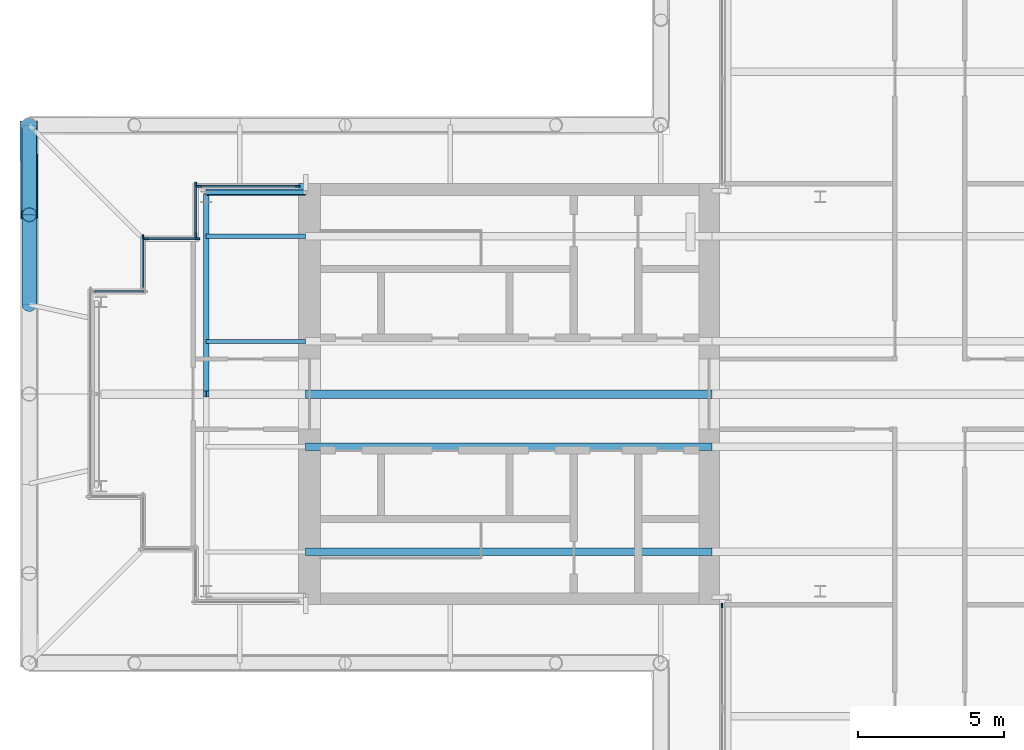
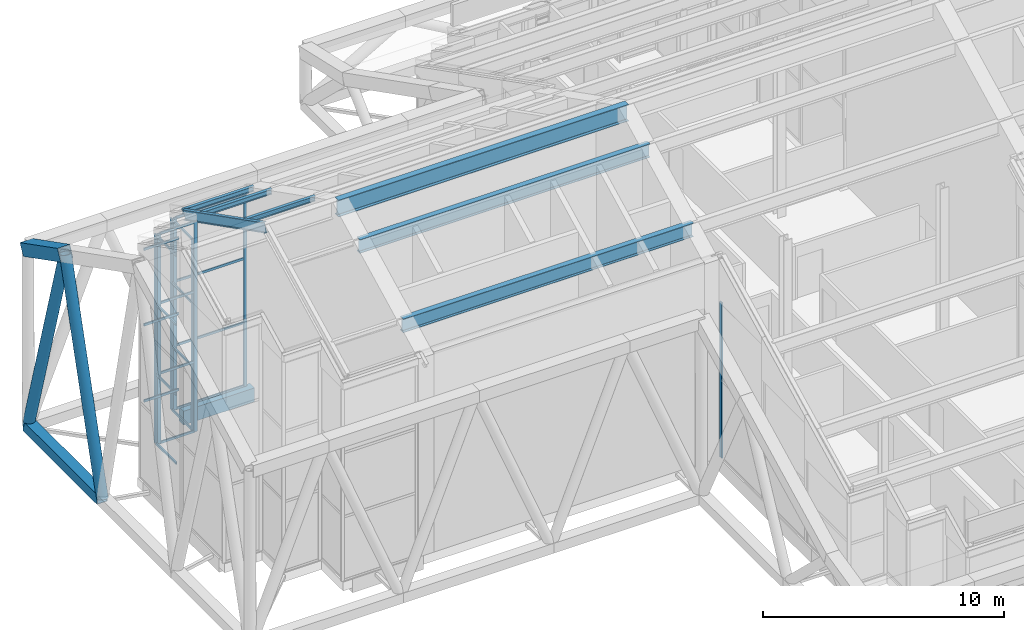
# One storey, part 7 of 25: 31 members, 8 beams, 6 elements without a shape of their own.
"""IFC4 building model written with IfcOpenShell, lengths in metres."""

from ifc_helpers import new_model, si_unit, direction, frame, origin, origin_2d, place, context, subcontext, project, spatial, rectangle, hollow_rectangle, hollow_circle, i_section, extrude, material, material_profile, profile_set, type_object, element, aggregate, save


model = new_model("IFC4")

# Units and contexts
model_context = context("Model", 3, precision=1e-05, world=origin(), true_north=direction((0.0, 1.0)))
body_context = subcontext(model_context, "Body", "Model", "MODEL_VIEW")
ifc_project = project(units=[si_unit("LENGTHUNIT", "METRE"), si_unit("AREAUNIT", "SQUARE_METRE"), si_unit("VOLUMEUNIT", "CUBIC_METRE"), si_unit("PLANEANGLEUNIT", "RADIAN"), si_unit("MASSUNIT", "GRAM", prefix="KILO")], contexts=[model_context])

# Site, building, storey
site_placement = place(None, origin())
site = spatial("IfcSite", under=ifc_project, at=site_placement, CompositionType="ELEMENT")
building_placement = place(site_placement, origin())
building = spatial("IfcBuilding", under=site, at=building_placement, Name="Fustian Cross Tower", CompositionType="ELEMENT")
storey_placement = place(building_placement, frame((0.0, 0.0, 247.5)))
storey = spatial("IfcBuildingStorey", under=building, at=storey_placement, Name="L77", CompositionType="ELEMENT", Elevation=247.5)

# Curtain wall, members
ifc_material_1 = material(Name="Glass", Category="glass")
curtain_wall_type = type_object("IfcCurtainWallType", Name="CW6 CURTAIN WALL", PredefinedType="NOTDEFINED", material=ifc_material_1)
curtain_wall_1_placement = place(storey_placement, origin())
curtain_wall_1 = element("IfcCurtainWall", 1, at=curtain_wall_1_placement, inside=storey, type_object=curtain_wall_type, Name="Curtain wall CW6", PredefinedType="NOTDEFINED")
ifc_material_2 = material(Name="Aluminium alloy 6063", Category="aluminium")
ifc_material_profile_1 = material_profile(ifc_material_2, rectangle(XDim=0.06005859375, YDim=0.159912109375, at=origin_2d()), Name="CW6 MULLION 60x160")
ifc_profile_set_1 = profile_set([ifc_material_profile_1], Name="Aluminium alloy 6063")
member_type_1 = type_object("IfcMemberType", Name="CW6 MULLION 60x160", PredefinedType="MULLION", material=ifc_profile_set_1)
member_1_placement = place(storey_placement, frame((-21.6298828125, 7.110107421875, 0.0), z_axis=(0.0, 0.0, 1.0), x_axis=(0.0, -1.0, 0.0)))
member_1 = element("IfcMember", 2, at=member_1_placement, type_object=member_type_1, Name="CW6 mullion 1", PredefinedType="MULLION", context=body_context, shape_type="SweptSolid", body=[
    extrude(rectangle(XDim=0.06005859375, YDim=0.159912109375, at=origin_2d()), origin(), (0.0, 0.0, 1.0), 9.729248046875),
])
member_2_placement = place(storey_placement, frame((-24.989990234375, 7.110107421875, 0.0), z_axis=(0.0, 0.0, 1.0), x_axis=(0.0, -1.0, 0.0)))
member_2 = element("IfcMember", 3, at=member_2_placement, type_object=member_type_1, Name="CW6 mullion 2", PredefinedType="MULLION", context=body_context, shape_type="SweptSolid", body=[
    extrude(rectangle(XDim=0.06005859375, YDim=0.159912109375, at=origin_2d()), origin(), (0.0, 0.0, 1.0), 9.729248046875),
])

curtain_wall_2_placement = place(storey_placement, origin())
curtain_wall_2 = element("IfcCurtainWall", 4, at=curtain_wall_2_placement, inside=storey, type_object=curtain_wall_type, Name="Curtain wall CW6", PredefinedType="NOTDEFINED")
member_3_placement = place(storey_placement, frame((-25.110107421875, 7.169921875, 0.0), z_axis=(0.0, 0.0, 1.0), x_axis=(1.0, 0.0, 0.0)))
member_3 = element("IfcMember", 5, at=member_3_placement, type_object=member_type_1, Name="CW6 mullion 1", PredefinedType="MULLION", context=body_context, shape_type="SweptSolid", body=[
    extrude(rectangle(XDim=0.06005859375, YDim=0.159912109375, at=origin_2d()), origin(), (0.0, 0.0, 1.0), 9.683349609375),
])
member_4_placement = place(storey_placement, frame((-25.110107421875, 5.429931640625, 0.0), z_axis=(0.0, 0.0, 1.0), x_axis=(1.0, 0.0, 0.0)))
member_4 = element("IfcMember", 6, at=member_4_placement, type_object=member_type_1, Name="CW6 mullion 2", PredefinedType="MULLION", context=body_context, shape_type="SweptSolid", body=[
    extrude(rectangle(XDim=0.06005859375, YDim=0.159912109375, at=origin_2d()), origin(), (0.0, 0.0, 1.0), 9.683349609375),
])

curtain_wall_3_placement = place(storey_placement, origin())
curtain_wall_3 = element("IfcCurtainWall", 7, at=curtain_wall_3_placement, inside=storey, type_object=curtain_wall_type, Name="Curtain wall CW6", PredefinedType="NOTDEFINED")
member_5_placement = place(storey_placement, frame((-25.050048828125, 5.31005859375, 0.0), z_axis=(0.0, 0.0, 1.0), x_axis=(0.0, -1.0, 0.0)))
member_5 = element("IfcMember", 8, at=member_5_placement, type_object=member_type_1, Name="CW6 mullion 1", PredefinedType="MULLION", context=body_context, shape_type="SweptSolid", body=[
    extrude(rectangle(XDim=0.06005859375, YDim=0.159912109375, at=origin_2d()), origin(), (0.0, 0.0, 1.0), 10.645751953125),
])
member_6_placement = place(storey_placement, frame((-26.7900390625, 5.31005859375, 0.0), z_axis=(0.0, 0.0, 1.0), x_axis=(0.0, -1.0, 0.0)))
member_6 = element("IfcMember", 9, at=member_6_placement, type_object=member_type_1, Name="CW6 mullion 2", PredefinedType="MULLION", context=body_context, shape_type="SweptSolid", body=[
    extrude(rectangle(XDim=0.06005859375, YDim=0.159912109375, at=origin_2d()), origin(), (0.0, 0.0, 1.0), 10.645751953125),
])

# Curtain wall, member
curtain_wall_4_placement = place(storey_placement, origin())
curtain_wall_4 = element("IfcCurtainWall", 10, at=curtain_wall_4_placement, inside=storey, type_object=curtain_wall_type, Name="Curtain wall CW6", PredefinedType="NOTDEFINED")
member_7_placement = place(storey_placement, frame((-26.909912109375, 5.3701171875, 0.0), z_axis=(0.0, 0.0, 1.0), x_axis=(1.0, 0.0, 0.0)))
member_7 = element("IfcMember", 11, at=member_7_placement, type_object=member_type_1, Name="CW6 mullion 1", PredefinedType="MULLION", context=body_context, shape_type="SweptSolid", body=[
    extrude(rectangle(XDim=0.06005859375, YDim=0.159912109375, at=origin_2d()), origin(), (0.0, 0.0, 1.0), 10.60009765625),
])

curtain_wall_5_placement = place(storey_placement, origin())
curtain_wall_5 = element("IfcCurtainWall", 12, at=curtain_wall_5_placement, inside=storey, type_object=curtain_wall_type, Name="Curtain wall CW6", PredefinedType="NOTDEFINED")
member_8_placement = place(storey_placement, frame((-7.110107421875, -7.22998046875, 0.0), z_axis=(0.0, 0.0, 1.0), x_axis=(1.0, 0.0, 0.0)))
member_8 = element("IfcMember", 13, at=member_8_placement, type_object=member_type_1, Name="CW6 mullion 1", PredefinedType="MULLION", context=body_context, shape_type="SweptSolid", body=[
    extrude(rectangle(XDim=0.06005859375, YDim=0.159912109375, at=origin_2d()), origin(), (0.0, 0.0, 1.0), 7.880615234375),
])
aggregate(curtain_wall_5, [member_8])

# Member
ifc_material_3 = material(Name="Aluminium alloy 6063", Category="aluminium")
ifc_material_profile_2 = material_profile(ifc_material_3, rectangle(XDim=0.06005859375, YDim=0.1201171875, at=origin_2d()), Name="CW6 TRANSOM 60x120")
ifc_profile_set_2 = profile_set([ifc_material_profile_2], Name="Aluminium alloy 6063")
member_type_2 = type_object("IfcMemberType", Name="CW6 TRANSOM 60x120", PredefinedType="USERDEFINED", material=ifc_profile_set_2)
member_9_placement = place(storey_placement, frame((-21.659912109375, 7.110107421875, 0.030029296875), z_axis=(-1.0, 0.0, 0.0), x_axis=(0.0, -1.0, 0.0)))
member_9 = element("IfcMember", 14, at=member_9_placement, type_object=member_type_2, Name="CW6 transom 1.1", ObjectType="TRANSOM", PredefinedType="USERDEFINED", context=body_context, shape_type="SweptSolid", body=[
    extrude(rectangle(XDim=0.06005859375, YDim=0.1201171875, at=origin_2d()), origin(), (0.0, 0.0, 1.0), 3.300048828125),
])

member_10_placement = place(storey_placement, frame((-21.659912109375, 7.110107421875, 3.2431640625), z_axis=(-1.0, 0.0, 0.0), x_axis=(0.0, -1.0, 0.0)))
member_10 = element("IfcMember", 15, at=member_10_placement, type_object=member_type_2, Name="CW6 transom 1.2", ObjectType="TRANSOM", PredefinedType="USERDEFINED", context=body_context, shape_type="SweptSolid", body=[
    extrude(rectangle(XDim=0.06005859375, YDim=0.1201171875, at=origin_2d()), origin(), (0.0, 0.0, 1.0), 3.300048828125),
])

member_11_placement = place(storey_placement, frame((-21.659912109375, 7.110107421875, 6.486083984375), z_axis=(-1.0, 0.0, 0.0), x_axis=(0.0, -1.0, 0.0)))
member_11 = element("IfcMember", 16, at=member_11_placement, type_object=member_type_2, Name="CW6 transom 1.3", ObjectType="TRANSOM", PredefinedType="USERDEFINED", context=body_context, shape_type="SweptSolid", body=[
    extrude(rectangle(XDim=0.06005859375, YDim=0.1201171875, at=origin_2d()), origin(), (0.0, 0.0, 1.0), 3.300048828125),
])

member_12_placement = place(storey_placement, frame((-21.659912109375, 7.110107421875, 9.69921875), z_axis=(-1.0, 0.0, 0.0), x_axis=(0.0, -1.0, 0.0)))
member_12 = element("IfcMember", 17, at=member_12_placement, type_object=member_type_2, Name="CW6 transom 1.4", ObjectType="TRANSOM", PredefinedType="USERDEFINED", context=body_context, shape_type="SweptSolid", body=[
    extrude(rectangle(XDim=0.06005859375, YDim=0.1201171875, at=origin_2d()), origin(), (0.0, 0.0, 1.0), 3.300048828125),
])

aggregate(curtain_wall_1, [member_1, member_2, member_9, member_10, member_11, member_12])

member_13_placement = place(storey_placement, frame((-25.110107421875, 7.139892578125, 0.030029296875), z_axis=(0.0, -1.0, 0.0), x_axis=(1.0, 0.0, 0.0)))
member_13 = element("IfcMember", 18, at=member_13_placement, type_object=member_type_2, Name="CW6 transom 1.1", ObjectType="TRANSOM", PredefinedType="USERDEFINED", context=body_context, shape_type="SweptSolid", body=[
    extrude(rectangle(XDim=0.06005859375, YDim=0.1201171875, at=origin_2d()), origin(), (0.0, 0.0, 1.0), 1.679931640625),
])

member_14_placement = place(storey_placement, frame((-25.110107421875, 7.139892578125, 3.227783203125), z_axis=(0.0, -1.0, 0.0), x_axis=(1.0, 0.0, 0.0)))
member_14 = element("IfcMember", 19, at=member_14_placement, type_object=member_type_2, Name="CW6 transom 1.2", ObjectType="TRANSOM", PredefinedType="USERDEFINED", context=body_context, shape_type="SweptSolid", body=[
    extrude(rectangle(XDim=0.06005859375, YDim=0.1201171875, at=origin_2d()), origin(), (0.0, 0.0, 1.0), 1.679931640625),
])

member_15_placement = place(storey_placement, frame((-25.110107421875, 7.139892578125, 6.45556640625), z_axis=(0.0, -1.0, 0.0), x_axis=(1.0, 0.0, 0.0)))
member_15 = element("IfcMember", 20, at=member_15_placement, type_object=member_type_2, Name="CW6 transom 1.3", ObjectType="TRANSOM", PredefinedType="USERDEFINED", context=body_context, shape_type="SweptSolid", body=[
    extrude(rectangle(XDim=0.06005859375, YDim=0.1201171875, at=origin_2d()), origin(), (0.0, 0.0, 1.0), 1.679931640625),
])

member_16_placement = place(storey_placement, frame((-25.110107421875, 7.139892578125, 9.6533203125), z_axis=(0.0, -1.0, 0.0), x_axis=(1.0, 0.0, 0.0)))
member_16 = element("IfcMember", 21, at=member_16_placement, type_object=member_type_2, Name="CW6 transom 1.4", ObjectType="TRANSOM", PredefinedType="USERDEFINED", context=body_context, shape_type="SweptSolid", body=[
    extrude(rectangle(XDim=0.06005859375, YDim=0.1201171875, at=origin_2d()), origin(), (0.0, 0.0, 1.0), 1.679931640625),
])

aggregate(curtain_wall_2, [member_3, member_4, member_13, member_14, member_15, member_16])

member_17_placement = place(storey_placement, frame((-25.080078125, 5.31005859375, 0.030029296875), z_axis=(-1.0, 0.0, 0.0), x_axis=(0.0, -1.0, 0.0)))
member_17 = element("IfcMember", 22, at=member_17_placement, type_object=member_type_2, Name="CW6 transom 1.1", ObjectType="TRANSOM", PredefinedType="USERDEFINED", context=body_context, shape_type="SweptSolid", body=[
    extrude(rectangle(XDim=0.06005859375, YDim=0.1201171875, at=origin_2d()), origin(), (0.0, 0.0, 1.0), 1.679931640625),
])

member_18_placement = place(storey_placement, frame((-25.080078125, 5.31005859375, 3.548583984375), z_axis=(-1.0, 0.0, 0.0), x_axis=(0.0, -1.0, 0.0)))
member_18 = element("IfcMember", 23, at=member_18_placement, type_object=member_type_2, Name="CW6 transom 1.2", ObjectType="TRANSOM", PredefinedType="USERDEFINED", context=body_context, shape_type="SweptSolid", body=[
    extrude(rectangle(XDim=0.06005859375, YDim=0.1201171875, at=origin_2d()), origin(), (0.0, 0.0, 1.0), 1.679931640625),
])

member_19_placement = place(storey_placement, frame((-25.080078125, 5.31005859375, 7.09716796875), z_axis=(-1.0, 0.0, 0.0), x_axis=(0.0, -1.0, 0.0)))
member_19 = element("IfcMember", 24, at=member_19_placement, type_object=member_type_2, Name="CW6 transom 1.3", ObjectType="TRANSOM", PredefinedType="USERDEFINED", context=body_context, shape_type="SweptSolid", body=[
    extrude(rectangle(XDim=0.06005859375, YDim=0.1201171875, at=origin_2d()), origin(), (0.0, 0.0, 1.0), 1.679931640625),
])

member_20_placement = place(storey_placement, frame((-25.080078125, 5.31005859375, 10.61572265625), z_axis=(-1.0, 0.0, 0.0), x_axis=(0.0, -1.0, 0.0)))
member_20 = element("IfcMember", 25, at=member_20_placement, type_object=member_type_2, Name="CW6 transom 1.4", ObjectType="TRANSOM", PredefinedType="USERDEFINED", context=body_context, shape_type="SweptSolid", body=[
    extrude(rectangle(XDim=0.06005859375, YDim=0.1201171875, at=origin_2d()), origin(), (0.0, 0.0, 1.0), 1.679931640625),
])

aggregate(curtain_wall_3, [member_5, member_6, member_17, member_18, member_19, member_20])

member_21_placement = place(storey_placement, frame((-26.909912109375, 5.340087890625, 0.030029296875), z_axis=(0.0, -1.0, 0.0), x_axis=(1.0, 0.0, 0.0)))
member_21 = element("IfcMember", 26, at=member_21_placement, type_object=member_type_2, Name="CW6 transom 1.1", ObjectType="TRANSOM", PredefinedType="USERDEFINED", context=body_context, shape_type="SweptSolid", body=[
    extrude(rectangle(XDim=0.06005859375, YDim=0.1201171875, at=origin_2d()), origin(), (0.0, 0.0, 1.0), 1.68017578125),
])

member_22_placement = place(storey_placement, frame((-26.909912109375, 5.340087890625, 3.533447265625), z_axis=(0.0, -1.0, 0.0), x_axis=(1.0, 0.0, 0.0)))
member_22 = element("IfcMember", 27, at=member_22_placement, type_object=member_type_2, Name="CW6 transom 1.2", ObjectType="TRANSOM", PredefinedType="USERDEFINED", context=body_context, shape_type="SweptSolid", body=[
    extrude(rectangle(XDim=0.06005859375, YDim=0.1201171875, at=origin_2d()), origin(), (0.0, 0.0, 1.0), 1.68017578125),
])

member_23_placement = place(storey_placement, frame((-26.909912109375, 5.340087890625, 7.066650390625), z_axis=(0.0, -1.0, 0.0), x_axis=(1.0, 0.0, 0.0)))
member_23 = element("IfcMember", 28, at=member_23_placement, type_object=member_type_2, Name="CW6 transom 1.3", ObjectType="TRANSOM", PredefinedType="USERDEFINED", context=body_context, shape_type="SweptSolid", body=[
    extrude(rectangle(XDim=0.06005859375, YDim=0.1201171875, at=origin_2d()), origin(), (0.0, 0.0, 1.0), 1.68017578125),
])

member_24_placement = place(storey_placement, frame((-26.909912109375, 5.340087890625, 10.570068359375), z_axis=(0.0, -1.0, 0.0), x_axis=(1.0, 0.0, 0.0)))
member_24 = element("IfcMember", 29, at=member_24_placement, type_object=member_type_2, Name="CW6 transom 1.4", ObjectType="TRANSOM", PredefinedType="USERDEFINED", context=body_context, shape_type="SweptSolid", body=[
    extrude(rectangle(XDim=0.06005859375, YDim=0.1201171875, at=origin_2d()), origin(), (0.0, 0.0, 1.0), 1.68017578125),
])

aggregate(curtain_wall_4, [member_7, member_21, member_22, member_23, member_24])

# Curtain wall, members
curtain_wall_6_placement = place(storey_placement, origin())
curtain_wall_6 = element("IfcCurtainWall", 30, at=curtain_wall_6_placement, inside=storey, type_object=curtain_wall_type, Name="Curtain wall CW6", PredefinedType="NOTDEFINED")
member_25_placement = place(storey_placement, frame((-26.8798828125, 3.510009765625, 3.854248046875), z_axis=(-1.0, 0.0, 0.0), x_axis=(0.0, -1.0, 0.0)))
member_25 = element("IfcMember", 31, at=member_25_placement, type_object=member_type_2, Name="CW6 transom 1.2", ObjectType="TRANSOM", PredefinedType="USERDEFINED", context=body_context, shape_type="SweptSolid", body=[
    extrude(rectangle(XDim=0.06005859375, YDim=0.1201171875, at=origin_2d()), origin(), (0.0, 0.0, 1.0), 1.68017578125),
])
member_26_placement = place(storey_placement, frame((-26.8798828125, 3.510009765625, 7.708251953125), z_axis=(-1.0, 0.0, 0.0), x_axis=(0.0, -1.0, 0.0)))
member_26 = element("IfcMember", 32, at=member_26_placement, type_object=member_type_2, Name="CW6 transom 1.3", ObjectType="TRANSOM", PredefinedType="USERDEFINED", context=body_context, shape_type="SweptSolid", body=[
    extrude(rectangle(XDim=0.06005859375, YDim=0.1201171875, at=origin_2d()), origin(), (0.0, 0.0, 1.0), 1.68017578125),
])
member_27_placement = place(storey_placement, frame((-26.8798828125, 3.510009765625, 11.532470703125), z_axis=(-1.0, 0.0, 0.0), x_axis=(0.0, -1.0, 0.0)))
member_27 = element("IfcMember", 33, at=member_27_placement, type_object=member_type_2, Name="CW6 transom 1.4", ObjectType="TRANSOM", PredefinedType="USERDEFINED", context=body_context, shape_type="SweptSolid", body=[
    extrude(rectangle(XDim=0.06005859375, YDim=0.1201171875, at=origin_2d()), origin(), (0.0, 0.0, 1.0), 1.68017578125),
])
aggregate(curtain_wall_6, [member_25, member_26, member_27])

# Members
ifc_material_4 = material(Name="Steel S355", Category="steel")
ifc_material_profile_3 = material_profile(ifc_material_4, hollow_circle(Radius=0.25390625, WallThickness=0.02001953125, at=origin_2d()), Name="CHS 508x20")
ifc_profile_set_3 = profile_set([ifc_material_profile_3], Name="Steel S355")
member_type_3 = type_object("IfcMemberType", Name="DIAGRID DIAGONAL CHS 508x20", PredefinedType="BRACE", material=ifc_profile_set_3)
for number, where, z_axis, x_axis, name in (
    (34, (-30.800048828125, 9.199951171875, 0.0), (0.0, -0.279696441549, 0.96008848581), (1.0, 0.0, 0.0), "Diagrid diagonal W-end 01"),
    (35, (-30.800048828125, 3.066650390625, 0.0), (0.0, 0.279696441549, 0.96008848581), (-1.0, 0.0, 0.0), "Diagrid diagonal W-end 02"),
):
    element("IfcMember", number, at=place(storey_placement, frame(where, z_axis=z_axis, x_axis=x_axis)), inside=storey, type_object=member_type_3, Name=name, PredefinedType="BRACE", context=body_context, shape_type="SweptSolid", body=[
        extrude(hollow_circle(Radius=0.25390625, WallThickness=0.02001953125, at=origin_2d()), origin(), (0.0, 0.0, 1.0), 10.964111328125),
    ])
ifc_material_5 = material(Name="Steel S355", Category="steel")
ifc_material_profile_4 = material_profile(ifc_material_5, hollow_rectangle(XDim=0.5, YDim=0.5, WallThickness=0.02490234375, at=origin_2d()), Name="RHS 500x500x25")
ifc_profile_set_4 = profile_set([ifc_material_profile_4], Name="Steel S355")
member_type_4 = type_object("IfcMemberType", Name="DIAGRID RING RHS 500x500x25", PredefinedType="MEMBER", material=ifc_profile_set_4)
member_28_placement = place(storey_placement, frame((-30.800048828125, 9.199951171875, 0.0), z_axis=(0.0, -1.0, 0.0), x_axis=(1.0, 0.0, 0.0)))
element("IfcMember", 36, at=member_28_placement, inside=storey, type_object=member_type_4, Name="Diagrid ring L77-14 L77-15", PredefinedType="MEMBER", context=body_context, shape_type="SweptSolid", body=[
    extrude(hollow_rectangle(XDim=0.5, YDim=0.5, WallThickness=0.02490234375, at=origin_2d()), origin(), (0.0, 0.0, 1.0), 6.13330078125),
])
ifc_material_6 = material(Name="Steel S355", Category="steel")
ifc_material_profile_5 = material_profile(ifc_material_6, hollow_rectangle(XDim=0.60009765625, YDim=0.60009765625, WallThickness=0.030029296875, at=origin_2d()), Name="RHS 600x600x30")
ifc_profile_set_5 = profile_set([ifc_material_profile_5], Name="Steel S355")
member_type_5 = type_object("IfcMemberType", Name="DIAGRID RING RHS 600x600x30", PredefinedType="MEMBER", material=ifc_profile_set_5)
member_29_placement = place(storey_placement, frame((-30.819091796875, 9.205810546875, 8.9619140625), z_axis=(0.005522844138, -0.891089659955, 0.453793693338), x_axis=(0.999980793853, 0.006197735552, 0.0)))
element("IfcMember", 37, at=member_29_placement, inside=storey, type_object=member_type_5, Name="Diagrid ring TOP-19 TOP-20", PredefinedType="MEMBER", context=body_context, shape_type="SweptSolid", body=[
    extrude(hollow_rectangle(XDim=0.60009765625, YDim=0.60009765625, WallThickness=0.030029296875, at=origin_2d()), origin(), (0.0, 0.0, 1.0), 3.447998046875),
])

# Beams
ifc_material_7 = material(Name="Concrete C50/60", Category="concrete")
ifc_material_profile_6 = material_profile(ifc_material_7, rectangle(XDim=0.39990234375, YDim=0.699951171875, at=origin_2d()), Name="RC 400x700")
ifc_profile_set_6 = profile_set([ifc_material_profile_6], Name="Concrete C50/60")
beam_type_1 = type_object("IfcBeamType", Name="EDGE BEAM RC 400x700 C50/60", PredefinedType="SPANDREL", material=ifc_profile_set_6)
beam_1_placement = place(storey_placement, frame((-21.35009765625, 7.0, -0.35009765625), z_axis=(-1.0, 0.0, 0.0), x_axis=(0.0, -1.0, 0.0)))
element("IfcBeam", 38, at=beam_1_placement, inside=storey, type_object=beam_type_1, Name="EDGE BEAM L77-09", PredefinedType="SPANDREL", context=body_context, shape_type="SweptSolid", body=[
    extrude(rectangle(XDim=0.39990234375, YDim=0.699951171875, at=origin_2d()), origin(), (0.0, 0.0, 1.0), 3.39990234375),
])
ifc_material_8 = material(Name="Steel S355", Category="steel")
ifc_material_profile_7 = material_profile(ifc_material_8, i_section(OverallWidth=0.293701171875, OverallDepth=0.850830078125, WebThickness=0.01611328125, FlangeThickness=0.02685546875, FilletRadius=0.017822265625, at=origin_2d()), Name="UB 838x292x226")
ifc_profile_set_7 = profile_set([ifc_material_profile_7], Name="Steel S355")
beam_type_2 = type_object("IfcBeamType", Name="RIDGE GIRDER UB 838x292x226 S355", PredefinedType="BEAM", material=ifc_profile_set_7)
beam_2_placement = place(storey_placement, frame((-21.35009765625, 0.0, 13.2744140625), z_axis=(1.0, 0.0, 0.0), x_axis=(0.0, 1.0, 0.0)))
element("IfcBeam", 39, at=beam_2_placement, inside=storey, type_object=beam_type_2, Name="RIDGE GIRDER 058", PredefinedType="BEAM", context=body_context, shape_type="SweptSolid", body=[
    extrude(i_section(OverallWidth=0.293701171875, OverallDepth=0.850830078125, WebThickness=0.01611328125, FlangeThickness=0.02685546875, FilletRadius=0.017822265625, at=origin_2d()), origin(), (0.0, 0.0, 1.0), 13.900146484375),
])
ifc_material_9 = material(Name="Steel S355", Category="steel")
ifc_material_profile_8 = material_profile(ifc_material_9, i_section(OverallWidth=0.255859375, OverallDepth=0.69287109375, WebThickness=0.014404296875, FlangeThickness=0.023681640625, FilletRadius=0.01513671875, at=origin_2d()), Name="UB 686x254x170")
ifc_profile_set_8 = profile_set([ifc_material_profile_8], Name="Steel S355")
beam_type_3 = type_object("IfcBeamType", Name="ROOF PURLIN UB 686x254x170 S355", PredefinedType="BEAM", material=ifc_profile_set_8)
for number, where, z_axis, x_axis, name in (
    (40, (-21.35009765625, -5.39990234375, 10.603515625), (1.0, 0.0, 0.0), (0.0, 1.0, 0.0), "ROOF BEAM 037"),
    (41, (-21.35009765625, -1.800048828125, 12.43701171875), (1.0, 0.0, 0.0), (0.0, 1.0, 0.0), "ROOF BEAM 042"),
):
    element("IfcBeam", number, at=place(storey_placement, frame(where, z_axis=z_axis, x_axis=x_axis)), inside=storey, type_object=beam_type_3, Name=name, PredefinedType="BEAM", context=body_context, shape_type="SweptSolid", body=[
        extrude(i_section(OverallWidth=0.255859375, OverallDepth=0.69287109375, WebThickness=0.014404296875, FlangeThickness=0.023681640625, FilletRadius=0.01513671875, at=origin_2d()), origin(), (0.0, 0.0, 1.0), 13.900146484375),
    ])
ifc_material_10 = material(Name="Steel S355", Category="steel")
ifc_material_profile_9 = material_profile(ifc_material_10, i_section(OverallWidth=0.19287109375, OverallDepth=0.46728515625, WebThickness=0.011474609375, FlangeThickness=0.01953125, FilletRadius=0.01025390625, at=origin_2d()), Name="UB 457x191x98")
ifc_profile_set_9 = profile_set([ifc_material_profile_9], Name="Steel S355")
beam_type_4 = type_object("IfcBeamType", Name="ROOF RAFTER UB 457x191x98 S355", PredefinedType="BEAM", material=ifc_profile_set_9)
beam_3_placement = place(storey_placement, frame((-24.75, 0.0, 13.43798828125), z_axis=(0.0, 0.891102454825, -0.453802176068), x_axis=(-1.0, 0.0, 0.0)))
element("IfcBeam", 42, at=beam_3_placement, inside=storey, type_object=beam_type_4, Name="ROOF BEAM 036", PredefinedType="BEAM", context=body_context, shape_type="SweptSolid", body=[
    extrude(i_section(OverallWidth=0.19287109375, OverallDepth=0.46728515625, WebThickness=0.011474609375, FlangeThickness=0.01953125, FilletRadius=0.01025390625, at=origin_2d()), origin(), (0.0, 0.0, 1.0), 7.574951171875),
])
ifc_material_11 = material(Name="Steel S355", Category="steel")
ifc_material_profile_10 = material_profile(ifc_material_11, i_section(OverallWidth=0.14599609375, OverallDepth=0.25146484375, WebThickness=0.006103515625, FlangeThickness=0.008544921875, FilletRadius=0.007568359375, at=origin_2d()), Name="UB 254x146x31")
ifc_profile_set_10 = profile_set([ifc_material_profile_10], Name="Steel S355")
beam_type_5 = type_object("IfcBeamType", Name="ROOF TRIMMER UB 254x146x31 S355", PredefinedType="BEAM", material=ifc_profile_set_10)
for number, where, z_axis, x_axis, name in (
    (43, (-21.35009765625, 6.89990234375, 10.060302734375), (-1.0, 0.0, 0.0), (0.0, -1.0, 0.0), "ROOF BEAM 014"),
    (44, (-21.35009765625, 1.800048828125, 12.65771484375), (-1.0, 0.0, 0.0), (0.0, -1.0, 0.0), "ROOF BEAM 051"),
    (45, (-21.35009765625, 5.39990234375, 10.82421875), (-1.0, 0.0, 0.0), (0.0, -1.0, 0.0), "ROOF BEAM 056"),
):
    element("IfcBeam", number, at=place(storey_placement, frame(where, z_axis=z_axis, x_axis=x_axis)), inside=storey, type_object=beam_type_5, Name=name, PredefinedType="BEAM", context=body_context, shape_type="SweptSolid", body=[
        extrude(i_section(OverallWidth=0.14599609375, OverallDepth=0.25146484375, WebThickness=0.006103515625, FlangeThickness=0.008544921875, FilletRadius=0.007568359375, at=origin_2d()), origin(), (0.0, 0.0, 1.0), 3.39990234375),
    ])

save(model, "model.ifc")
